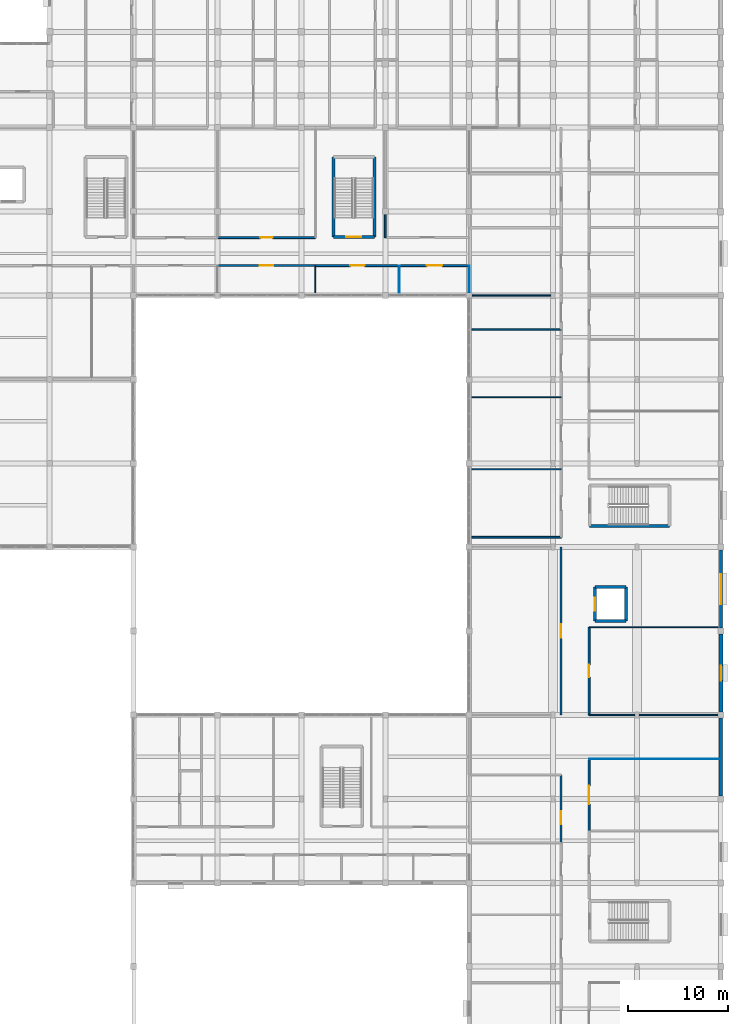
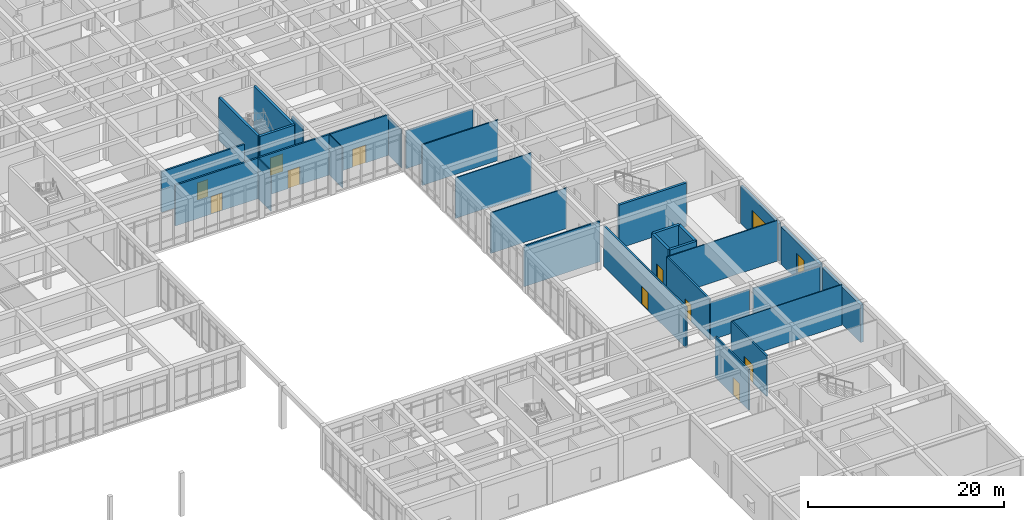
# One storey, part 66 of 89: 32 walls, 10 doors, 2 windows, 12 openings.
"""IFC4 building model written with IfcOpenShell, lengths in metres."""

from ifc_helpers import new_model, si_unit, direction, frame, frame_2d, origin, place, context, subcontext, project, spatial, rectangle, extrude, material, layer, layer_set, type_object, element, fill, save


model = new_model("IFC4")

# Units and contexts
model_context = context("Model", 3, precision=1e-05, world=origin(), true_north=direction((0.0, 1.0)))
body_context = subcontext(model_context, "Body", "Model", "MODEL_VIEW")
ifc_project = project(units=[si_unit("LENGTHUNIT", "METRE"), si_unit("AREAUNIT", "SQUARE_METRE"), si_unit("VOLUMEUNIT", "CUBIC_METRE"), si_unit("PLANEANGLEUNIT", "RADIAN"), si_unit("MASSUNIT", "GRAM", prefix="KILO")], contexts=[model_context])

# Site, building, storey
site_placement = place(None, origin())
site = spatial("IfcSite", under=ifc_project, at=site_placement, CompositionType="ELEMENT")
building_placement = place(site_placement, origin())
building = spatial("IfcBuilding", under=site, at=building_placement, Name="Varncliffe General Hospital", CompositionType="ELEMENT")
storey_placement = place(building_placement, frame((0.0, 0.0, 10.800048828125)))
storey = spatial("IfcBuildingStorey", under=building, at=storey_placement, Name="L02", CompositionType="ELEMENT", Elevation=10.800048828125)

# Wall, opening, window
ifc_material_1 = material(Name="Precast concrete C40/50 with insulated cream lime-cement stucco", Category="concrete")
ifc_layer_1 = layer(ifc_material_1, 0.3798828125)
ifc_layer_set_1 = layer_set([ifc_layer_1], Name="Precast concrete C40/50 with insulated cream lime-cement stucco")
wall_type_1 = type_object("IfcWallType", Name="Exterior Insulated Stucco Wall EW26 (380mm)", PredefinedType="SOLIDWALL", material=ifc_layer_set_1)
wall_1_placement = place(storey_placement, frame((176.39990234375, 48.902099609375, 0.0), z_axis=(0.0, 0.0, 1.0), x_axis=(0.0, -1.0, 0.0)))
wall_1 = element("IfcWall", 1, at=wall_1_placement, inside=storey, type_object=wall_type_1, Name="L02 Exterior Stucco Wall EW26-205", PredefinedType="SOLIDWALL", context=body_context, shape_type="SweptSolid", body=[
    extrude(rectangle(XDim=7.80419921875, YDim=0.3798828125, at=frame_2d((3.902099609375, 0.0))), origin(), (0.0, 0.0, 1.0), 4.679931640625),
])
opening_1_placement = place(wall_1_placement, frame((3.152099609375, 0.0, 0.89990234375)))
opening_1 = element("IfcOpeningElement", 2, at=opening_1_placement, cuts=wall_1, Name="Opening WN14", PredefinedType="OPENING", context=body_context, shape_type="SweptSolid", body=[
    extrude(rectangle(XDim=1.5, YDim=2.35009765625, at=frame_2d((0.75, 1.175048828125))), frame((0.0, 0.199951171875, 0.0), z_axis=(0.0, -1.0, 0.0), x_axis=(1.0, 0.0, 0.0)), (0.0, 0.0, 1.0), 0.39990234375),
])
ifc_material_2 = material(Name="Triple low-E argon insulated vision glazing", Category="glass")
window_type_1 = type_object("IfcWindowType", Name="Triple-Glazed Hospital Window WN14 (1500x2350)", PartitioningType="SINGLE_PANEL", PredefinedType="WINDOW", material=ifc_material_2)
window_1_placement = place(opening_1_placement, origin())
window_1 = element("IfcWindow", 3, at=window_1_placement, inside=storey, type_object=window_type_1, Name="L02 Hospital Window WN14-129", OverallHeight=2.35009765625, OverallWidth=1.5, PartitioningType="SINGLE_PANEL", PredefinedType="WINDOW", context=body_context, shape_type="SweptSolid", body=[
    extrude(rectangle(XDim=1.5, YDim=2.35009765625, at=frame_2d((0.75, 1.175048828125))), frame((0.0, 0.030029296875, 0.0), z_axis=(0.0, -1.0, 0.0), x_axis=(1.0, 0.0, 0.0)), (0.0, 0.0, 1.0), 0.06005859375),
])
fill(opening_1, window_1)

ifc_layer_2 = layer(ifc_material_1, 0.2900390625)
ifc_layer_set_2 = layer_set([ifc_layer_2], Name="Precast concrete C40/50 with insulated cream lime-cement stucco")
wall_type_2 = type_object("IfcWallType", Name="Exterior Insulated Stucco Wall EW31 (290mm)", PredefinedType="SOLIDWALL", material=ifc_layer_set_2)
wall_2_placement = place(storey_placement, frame((176.39990234375, 57.302001953125, 0.0), z_axis=(0.0, 0.0, 1.0), x_axis=(0.0, -1.0, 0.0)))
wall_2 = element("IfcWall", 4, at=wall_2_placement, inside=storey, type_object=wall_type_2, Name="L02 Exterior Stucco Wall EW31-204", PredefinedType="SOLIDWALL", context=body_context, shape_type="SweptSolid", body=[
    extrude(rectangle(XDim=7.803955078125, YDim=0.2900390625, at=frame_2d((3.90185546875, 0.0))), origin(), (0.0, 0.0, 1.0), 4.679931640625),
])
opening_2_placement = place(wall_2_placement, frame((2.402099609375, 0.0, 0.89990234375)))
opening_2 = element("IfcOpeningElement", 5, at=opening_2_placement, cuts=wall_2, Name="Opening WN37", PredefinedType="OPENING", context=body_context, shape_type="SweptSolid", body=[
    extrude(rectangle(XDim=3.0, YDim=2.14990234375, at=frame_2d((1.5, 1.074951171875))), frame((0.0, 0.155029296875, 0.0), z_axis=(0.0, -1.0, 0.0), x_axis=(1.0, 0.0, 0.0)), (0.0, 0.0, 1.0), 0.31005859375),
])
window_type_2 = type_object("IfcWindowType", Name="Triple-Glazed Hospital Window WN37 (3000x2150)", PartitioningType="DOUBLE_PANEL_VERTICAL", PredefinedType="WINDOW", material=ifc_material_2)
window_2_placement = place(opening_2_placement, origin())
window_2 = element("IfcWindow", 6, at=window_2_placement, inside=storey, type_object=window_type_2, Name="L02 Hospital Window WN37-128", OverallHeight=2.14990234375, OverallWidth=3.0, PartitioningType="DOUBLE_PANEL_VERTICAL", PredefinedType="WINDOW", context=body_context, shape_type="SweptSolid", body=[
    extrude(rectangle(XDim=3.0, YDim=2.14990234375, at=frame_2d((1.5, 1.074951171875))), frame((0.0, 0.030029296875, 0.0), z_axis=(0.0, -1.0, 0.0), x_axis=(1.0, 0.0, 0.0)), (0.0, 0.0, 1.0), 0.06005859375),
])
fill(opening_2, window_2)

# Walls
ifc_layer_3 = layer(ifc_material_1, 0.35009765625)
ifc_layer_set_3 = layer_set([ifc_layer_3], Name="Precast concrete C40/50 with insulated cream lime-cement stucco")
wall_type_3 = type_object("IfcWallType", Name="Exterior Insulated Stucco Wall EW37 (350mm)", PredefinedType="SOLIDWALL", material=ifc_layer_set_3)
wall_3_placement = place(storey_placement, frame((176.39990234375, 40.501953125, 0.0), z_axis=(0.0, 0.0, 1.0), x_axis=(0.0, -1.0, 0.0)))
element("IfcWall", 7, at=wall_3_placement, inside=storey, type_object=wall_type_3, Name="L02 Exterior Stucco Wall EW37-206", PredefinedType="SOLIDWALL", context=body_context, shape_type="SweptSolid", body=[
    extrude(rectangle(XDim=7.803955078125, YDim=0.35009765625, at=frame_2d((3.90185546875, 0.0))), origin(), (0.0, 0.0, 1.0), 4.679931640625),
])
ifc_material_3 = material(Name="Acoustic clinical gypsum stud partition assembly", Category="gypsum")
ifc_layer_4 = layer(ifc_material_3, 0.1298828125)
ifc_layer_set_4 = layer_set([ifc_layer_4], Name="Acoustic clinical gypsum stud partition assembly")
wall_type_4 = type_object("IfcWallType", Name="Interior Partitioning IW11 (130mm)", PredefinedType="PARTITIONING", material=ifc_layer_set_4)
wall_4_placement = place(storey_placement, frame((168.215087890625, 40.800048828125, 0.0), z_axis=(0.0, 0.0, 1.0), x_axis=(1.0, 0.0, 0.0)))
element("IfcWall", 8, at=wall_4_placement, inside=storey, type_object=wall_type_4, Name="L02 Interior Partition Wall IW11-913", PredefinedType="PARTITIONING", context=body_context, shape_type="SweptSolid", body=[
    extrude(rectangle(XDim=7.869873046875, YDim=0.1298828125, at=frame_2d((3.93505859375, 0.0))), origin(), (0.0, 0.0, 1.0), 4.73486328125),
])
wall_5_placement = place(storey_placement, frame((163.199951171875, 40.800048828125, 0.0), z_axis=(0.0, 0.0, 1.0), x_axis=(1.0, 0.0, 0.0)))
element("IfcWall", 9, at=wall_5_placement, inside=storey, type_object=wall_type_4, Name="L02 Interior Partition Wall IW11-914", PredefinedType="PARTITIONING", context=body_context, shape_type="SweptSolid", body=[
    extrude(rectangle(XDim=4.5849609375, YDim=0.1298828125, at=frame_2d((2.29248046875, 0.0))), origin(), (0.0, 0.0, 1.0), 4.73486328125),
])
wall_6_placement = place(storey_placement, frame((151.4599609375, 65.39990234375, 0.0), z_axis=(0.0, 0.0, 1.0), x_axis=(1.0, 0.0, 0.0)))
element("IfcWall", 10, at=wall_6_placement, inside=storey, type_object=wall_type_4, Name="L02 Interior Partition Wall IW11-923", PredefinedType="PARTITIONING", context=body_context, shape_type="SweptSolid", body=[
    extrude(rectangle(XDim=8.93994140625, YDim=0.1298828125, at=frame_2d((4.469970703125, 0.0))), origin(), (0.0, 0.0, 1.0), 5.070068359375),
])
wall_7_placement = place(storey_placement, frame((151.514892578125, 82.800048828125, 0.0), z_axis=(0.0, 0.0, 1.0), x_axis=(1.0, 0.0, 0.0)))
element("IfcWall", 11, at=wall_7_placement, inside=storey, type_object=wall_type_4, Name="L02 Interior Partition Wall IW11-948", PredefinedType="PARTITIONING", context=body_context, shape_type="SweptSolid", body=[
    extrude(rectangle(XDim=7.8701171875, YDim=0.1298828125, at=frame_2d((3.93505859375, 0.0))), origin(), (0.0, 0.0, 1.0), 4.73486328125),
])
ifc_layer_5 = layer(ifc_material_3, 0.169921875)
ifc_layer_set_5 = layer_set([ifc_layer_5], Name="Acoustic clinical gypsum stud partition assembly")
wall_type_5 = type_object("IfcWallType", Name="Interior Partitioning IW20 (170mm)", PredefinedType="PARTITIONING", material=ifc_layer_set_5)
wall_8_placement = place(storey_placement, frame((151.4599609375, 58.60009765625, 0.0), z_axis=(0.0, 0.0, 1.0), x_axis=(1.0, 0.0, 0.0)))
element("IfcWall", 12, at=wall_8_placement, inside=storey, type_object=wall_type_5, Name="L02 Interior Partition Wall IW20-920", PredefinedType="PARTITIONING", context=body_context, shape_type="SweptSolid", body=[
    extrude(rectangle(XDim=8.93994140625, YDim=0.169921875, at=frame_2d((4.469970703125, 0.0))), origin(), (0.0, 0.0, 1.0), 5.070068359375),
])
wall_9_placement = place(storey_placement, frame((142.800048828125, 88.60009765625, 0.0), z_axis=(0.0, 0.0, 1.0), x_axis=(0.0, 1.0, 0.0)))
element("IfcWall", 13, at=wall_9_placement, inside=storey, type_object=wall_type_5, Name="L02 Interior Partition Wall IW20-1261", PredefinedType="PARTITIONING", context=body_context, shape_type="SweptSolid", body=[
    extrude(rectangle(XDim=2.284912109375, YDim=0.169921875, at=frame_2d((1.142578125, 0.0))), origin(), (0.0, 0.0, 1.0), 4.73486328125),
])
ifc_layer_6 = layer(ifc_material_3, 0.14990234375)
ifc_layer_set_6 = layer_set([ifc_layer_6], Name="Acoustic clinical gypsum stud partition assembly")
wall_type_6 = type_object("IfcWallType", Name="Interior Partitioning IW35 (150mm)", PredefinedType="PARTITIONING", material=ifc_layer_set_6)
wall_10_placement = place(storey_placement, frame((151.4599609375, 79.39990234375, 0.0), z_axis=(0.0, 0.0, 1.0), x_axis=(1.0, 0.0, 0.0)))
element("IfcWall", 14, at=wall_10_placement, inside=storey, type_object=wall_type_6, Name="L02 Interior Partition Wall IW35-944", PredefinedType="PARTITIONING", context=body_context, shape_type="SweptSolid", body=[
    extrude(rectangle(XDim=8.93994140625, YDim=0.14990234375, at=frame_2d((4.469970703125, 0.0))), origin(), (0.0, 0.0, 1.0), 5.070068359375),
])
ifc_layer_7 = layer(ifc_material_3, 0.090087890625)
ifc_layer_set_7 = layer_set([ifc_layer_7], Name="Acoustic clinical gypsum stud partition assembly")
wall_type_7 = type_object("IfcWallType", Name="Interior Partitioning IW42 (90mm)", PredefinedType="PARTITIONING", material=ifc_layer_set_7)
wall_11_placement = place(storey_placement, frame((163.199951171875, 36.39990234375, 0.0), z_axis=(0.0, 0.0, 1.0), x_axis=(1.0, 0.0, 0.0)))
element("IfcWall", 15, at=wall_11_placement, inside=storey, type_object=wall_type_7, Name="L02 Interior Partition Wall IW42-911", PredefinedType="PARTITIONING", context=body_context, shape_type="SweptSolid", body=[
    extrude(rectangle(XDim=12.93994140625, YDim=0.090087890625, at=frame_2d((6.469970703125, 0.0))), origin(), (0.0, 0.0, 1.0), 5.070068359375),
])
wall_12_placement = place(storey_placement, frame((144.199951171875, 83.06005859375, 0.0), z_axis=(0.0, 0.0, 1.0), x_axis=(0.0, 1.0, 0.0)))
element("IfcWall", 16, at=wall_12_placement, inside=storey, type_object=wall_type_7, Name="L02 Interior Partition Wall IW42-1266", PredefinedType="PARTITIONING", context=body_context, shape_type="SweptSolid", body=[
    extrude(rectangle(XDim=2.739990234375, YDim=0.090087890625, at=frame_2d((1.3701171875, 0.0))), origin(), (0.0, 0.0, 1.0), 5.070068359375),
])
wall_13_placement = place(storey_placement, frame((151.199951171875, 83.114990234375, 0.0), z_axis=(0.0, 0.0, 1.0), x_axis=(0.0, 1.0, 0.0)))
element("IfcWall", 17, at=wall_13_placement, inside=storey, type_object=wall_type_7, Name="L02 Interior Partition Wall IW42-1276", PredefinedType="PARTITIONING", context=body_context, shape_type="SweptSolid", body=[
    extrude(rectangle(XDim=2.68505859375, YDim=0.090087890625, at=frame_2d((1.342529296875, 0.0))), origin(), (0.0, 0.0, 1.0), 4.73486328125),
])
ifc_layer_8 = layer(ifc_material_3, 0.110107421875)
ifc_layer_set_8 = layer_set([ifc_layer_8], Name="Acoustic clinical gypsum stud partition assembly")
wall_type_8 = type_object("IfcWallType", Name="Interior Partitioning IW65 (110mm)", PredefinedType="PARTITIONING", material=ifc_layer_set_8)
wall_14_placement = place(storey_placement, frame((163.199951171875, 49.60009765625, 0.0), z_axis=(0.0, 0.0, 1.0), x_axis=(1.0, 0.0, 0.0)))
element("IfcWall", 18, at=wall_14_placement, inside=storey, type_object=wall_type_8, Name="L02 Interior Partition Wall IW65-917", PredefinedType="PARTITIONING", context=body_context, shape_type="SweptSolid", body=[
    extrude(rectangle(XDim=12.93994140625, YDim=0.110107421875, at=frame_2d((6.469970703125, 0.0))), origin(), (0.0, 0.0, 1.0), 5.070068359375),
])
wall_15_placement = place(storey_placement, frame((151.4599609375, 72.60009765625, 0.0), z_axis=(0.0, 0.0, 1.0), x_axis=(1.0, 0.0, 0.0)))
element("IfcWall", 19, at=wall_15_placement, inside=storey, type_object=wall_type_8, Name="L02 Interior Partition Wall IW65-927", PredefinedType="PARTITIONING", context=body_context, shape_type="SweptSolid", body=[
    extrude(rectangle(XDim=8.93994140625, YDim=0.110107421875, at=frame_2d((4.469970703125, 0.0))), origin(), (0.0, 0.0, 1.0), 5.070068359375),
])
wall_16_placement = place(storey_placement, frame((135.800048828125, 83.06005859375, 0.0), z_axis=(0.0, 0.0, 1.0), x_axis=(0.0, 1.0, 0.0)))
element("IfcWall", 20, at=wall_16_placement, inside=storey, type_object=wall_type_8, Name="L02 Interior Partition Wall IW65-1252", PredefinedType="PARTITIONING", context=body_context, shape_type="SweptSolid", body=[
    extrude(rectangle(XDim=2.739990234375, YDim=0.110107421875, at=frame_2d((1.3701171875, 0.0))), origin(), (0.0, 0.0, 1.0), 5.070068359375),
])

# Wall, opening, door
ifc_material_4 = material(Name="Fire-rated gypsum and mineral-wool partition assembly", Category="gypsum")
ifc_layer_9 = layer(ifc_material_4, 0.199951171875)
ifc_layer_set_9 = layer_set([ifc_layer_9], Name="Fire-rated gypsum and mineral-wool partition assembly")
wall_type_9 = type_object("IfcWallType", Name="Interior Partitioning PW63 (200mm)", PredefinedType="PARTITIONING", material=ifc_layer_set_9)
wall_17_placement = place(storey_placement, frame((126.0, 85.800048828125, 0.0), z_axis=(0.0, 0.0, 1.0), x_axis=(1.0, 0.0, 0.0)))
wall_17 = element("IfcWall", 21, at=wall_17_placement, inside=storey, type_object=wall_type_9, Name="L02 Interior Partition Wall PW63-964", PredefinedType="PARTITIONING", context=body_context, shape_type="SweptSolid", body=[
    extrude(rectangle(XDim=9.800048828125, YDim=0.199951171875, at=frame_2d((4.89990234375, 0.0))), origin(), (0.0, 0.0, 1.0), 5.070068359375),
])
opening_3_placement = place(wall_17_placement, frame((4.22509765625, 0.0, 0.0)))
opening_3 = element("IfcOpeningElement", 22, at=opening_3_placement, cuts=wall_17, Name="Opening DC85", PredefinedType="OPENING", context=body_context, shape_type="SweptSolid", body=[
    extrude(rectangle(XDim=1.35009765625, YDim=2.199951171875, at=frame_2d((0.675048828125, 1.10009765625))), frame((0.0, 0.10986328125, 0.0), z_axis=(0.0, -1.0, 0.0), x_axis=(1.0, 0.0, 0.0)), (0.0, 0.0, 1.0), 0.219970703125),
])
ifc_material_5 = material(Name="Fire-rated hospital steel-frame vision-panel door", Category="steel")
door_type_1 = type_object("IfcDoorType", Name="Interior Hospital Door DC85 (1350x2200)", OperationType="NOTDEFINED", PredefinedType="DOOR", material=ifc_material_5)
door_1_placement = place(opening_3_placement, frame((1.35009765625, 0.0, 0.0), z_axis=(0.0, 0.0, 1.0), x_axis=(-1.0, 0.0, 0.0)))
door_1 = element("IfcDoor", 23, at=door_1_placement, inside=storey, type_object=door_type_1, Name="L02 Post-Anaesthesia Care Recovery PACU 72 Door", OperationType="SINGLE_SWING_LEFT", OverallHeight=2.199951171875, OverallWidth=1.35009765625, PredefinedType="DOOR", context=body_context, shape_type="SweptSolid", body=[
    extrude(rectangle(XDim=1.35009765625, YDim=2.199951171875, at=frame_2d((0.675048828125, 1.10009765625))), frame((0.0, 0.02490234375, 0.0), z_axis=(0.0, -1.0, 0.0), x_axis=(1.0, 0.0, 0.0)), (0.0, 0.0, 1.0), 0.050048828125),
])
fill(opening_3, door_1)

wall_18_placement = place(storey_placement, frame((135.800048828125, 85.800048828125, 0.0), z_axis=(0.0, 0.0, 1.0), x_axis=(1.0, 0.0, 0.0)))
wall_18 = element("IfcWall", 24, at=wall_18_placement, inside=storey, type_object=wall_type_9, Name="L02 Interior Partition Wall PW63-965", PredefinedType="PARTITIONING", context=body_context, shape_type="SweptSolid", body=[
    extrude(rectangle(XDim=8.39990234375, YDim=0.199951171875, at=frame_2d((4.199951171875, 0.0))), origin(), (0.0, 0.0, 1.0), 5.070068359375),
])
opening_4_placement = place(wall_18_placement, frame((3.47509765625, 0.0, 0.0)))
opening_4 = element("IfcOpeningElement", 25, at=opening_4_placement, cuts=wall_18, Name="Opening DC66", PredefinedType="OPENING", context=body_context, shape_type="SweptSolid", body=[
    extrude(rectangle(XDim=1.449951171875, YDim=2.25, at=frame_2d((0.72509765625, 1.125))), frame((0.0, 0.10986328125, 0.0), z_axis=(0.0, -1.0, 0.0), x_axis=(1.0, 0.0, 0.0)), (0.0, 0.0, 1.0), 0.219970703125),
])
door_type_2 = type_object("IfcDoorType", Name="Interior Hospital Door DC66 (1450x2250)", OperationType="NOTDEFINED", PredefinedType="DOOR", material=ifc_material_5)
door_2_placement = place(opening_4_placement, frame((1.449951171875, 0.0, 0.0), z_axis=(0.0, 0.0, 1.0), x_axis=(-1.0, 0.0, 0.0)))
door_2 = element("IfcDoor", 26, at=door_2_placement, inside=storey, type_object=door_type_2, Name="L02 Surgical Operating Theatre 73 Door", OperationType="SINGLE_SWING_RIGHT", OverallHeight=2.25, OverallWidth=1.449951171875, PredefinedType="DOOR", context=body_context, shape_type="SweptSolid", body=[
    extrude(rectangle(XDim=1.449951171875, YDim=2.25, at=frame_2d((0.72509765625, 1.125))), frame((0.0, 0.02490234375, 0.0), z_axis=(0.0, -1.0, 0.0), x_axis=(1.0, 0.0, 0.0)), (0.0, 0.0, 1.0), 0.050048828125),
])
fill(opening_4, door_2)

wall_19_placement = place(storey_placement, frame((144.199951171875, 85.800048828125, 0.0), z_axis=(0.0, 0.0, 1.0), x_axis=(1.0, 0.0, 0.0)))
wall_19 = element("IfcWall", 27, at=wall_19_placement, inside=storey, type_object=wall_type_9, Name="L02 Interior Partition Wall PW63-966", PredefinedType="PARTITIONING", context=body_context, shape_type="SweptSolid", body=[
    extrude(rectangle(XDim=7.0, YDim=0.199951171875, at=frame_2d((3.5, 0.0))), origin(), (0.0, 0.0, 1.0), 5.070068359375),
])
opening_5_placement = place(wall_19_placement, frame((2.72509765625, 0.0, 0.0)))
opening_5 = element("IfcOpeningElement", 28, at=opening_5_placement, cuts=wall_19, Name="Opening DC67", PredefinedType="OPENING", context=body_context, shape_type="SweptSolid", body=[
    extrude(rectangle(XDim=1.550048828125, YDim=2.25, at=frame_2d((0.77490234375, 1.125))), frame((0.0, 0.10986328125, 0.0), z_axis=(0.0, -1.0, 0.0), x_axis=(1.0, 0.0, 0.0)), (0.0, 0.0, 1.0), 0.219970703125),
])
door_type_3 = type_object("IfcDoorType", Name="Interior Hospital Door DC67 (1550x2250)", OperationType="NOTDEFINED", PredefinedType="DOOR", material=ifc_material_5)
door_3_placement = place(opening_5_placement, frame((1.550048828125, 0.0, 0.0), z_axis=(0.0, 0.0, 1.0), x_axis=(-1.0, 0.0, 0.0)))
door_3 = element("IfcDoor", 29, at=door_3_placement, inside=storey, type_object=door_type_3, Name="L02 Post-Anaesthesia Care Recovery PACU 74 Door", OperationType="SINGLE_SWING_LEFT", OverallHeight=2.25, OverallWidth=1.550048828125, PredefinedType="DOOR", context=body_context, shape_type="SweptSolid", body=[
    extrude(rectangle(XDim=1.550048828125, YDim=2.25, at=frame_2d((0.77490234375, 1.125))), frame((0.0, 0.02490234375, 0.0), z_axis=(0.0, -1.0, 0.0), x_axis=(1.0, 0.0, 0.0)), (0.0, 0.0, 1.0), 0.050048828125),
])
fill(opening_5, door_3)

wall_20_placement = place(storey_placement, frame((126.0, 88.60009765625, 0.0), z_axis=(0.0, 0.0, 1.0), x_axis=(1.0, 0.0, 0.0)))
wall_20 = element("IfcWall", 30, at=wall_20_placement, inside=storey, type_object=wall_type_9, Name="L02 Interior Partition Wall PW63-980", PredefinedType="PARTITIONING", context=body_context, shape_type="SweptSolid", body=[
    extrude(rectangle(XDim=9.800048828125, YDim=0.199951171875, at=frame_2d((4.89990234375, 0.0))), origin(), (0.0, 0.0, 1.0), 5.070068359375),
])
opening_6_placement = place(wall_20_placement, frame((4.27490234375, 0.0, 0.0)))
opening_6 = element("IfcOpeningElement", 31, at=opening_6_placement, cuts=wall_20, Name="Opening DC44", PredefinedType="OPENING", context=body_context, shape_type="SweptSolid", body=[
    extrude(rectangle(XDim=1.25, YDim=2.14990234375, at=frame_2d((0.625, 1.074951171875))), frame((0.0, 0.10986328125, 0.0), z_axis=(0.0, -1.0, 0.0), x_axis=(1.0, 0.0, 0.0)), (0.0, 0.0, 1.0), 0.219970703125),
])
door_type_4 = type_object("IfcDoorType", Name="Interior Hospital Door DC44 (1250x2150)", OperationType="NOTDEFINED", PredefinedType="DOOR", material=ifc_material_5)
door_4_placement = place(opening_6_placement, origin())
door_4 = element("IfcDoor", 32, at=door_4_placement, inside=storey, type_object=door_type_4, Name="L02 Post-Anaesthesia Care Recovery PACU 79 Door", OperationType="SINGLE_SWING_LEFT", OverallHeight=2.14990234375, OverallWidth=1.25, PredefinedType="DOOR", context=body_context, shape_type="SweptSolid", body=[
    extrude(rectangle(XDim=1.25, YDim=2.14990234375, at=frame_2d((0.625, 1.074951171875))), frame((0.0, 0.02490234375, 0.0), z_axis=(0.0, -1.0, 0.0), x_axis=(1.0, 0.0, 0.0)), (0.0, 0.0, 1.0), 0.050048828125),
])
fill(opening_6, door_4)

wall_21_placement = place(storey_placement, frame((160.39990234375, 28.0, 0.0), z_axis=(0.0, 0.0, 1.0), x_axis=(0.0, 1.0, 0.0)))
wall_21 = element("IfcWall", 33, at=wall_21_placement, inside=storey, type_object=wall_type_9, Name="L02 Interior Partition Wall PW63-1294", PredefinedType="PARTITIONING", context=body_context, shape_type="SweptSolid", body=[
    extrude(rectangle(XDim=6.800048828125, YDim=0.199951171875, at=frame_2d((3.39990234375, 0.0))), origin(), (0.0, 0.0, 1.0), 5.070068359375),
])
opening_7_placement = place(wall_21_placement, frame((1.846435546875, 0.0, 0.0)))
opening_7 = element("IfcOpeningElement", 34, at=opening_7_placement, cuts=wall_21, Name="Opening DC88", PredefinedType="OPENING", context=body_context, shape_type="SweptSolid", body=[
    extrude(rectangle(XDim=1.300048828125, YDim=2.199951171875, at=frame_2d((0.64990234375, 1.10009765625))), frame((0.0, 0.10986328125, 0.0), z_axis=(0.0, -1.0, 0.0), x_axis=(1.0, 0.0, 0.0)), (0.0, 0.0, 1.0), 0.219970703125),
])
door_type_5 = type_object("IfcDoorType", Name="Interior Hospital Door DC88 (1300x2200)", OperationType="NOTDEFINED", PredefinedType="DOOR", material=ifc_material_5)
door_5_placement = place(opening_7_placement, origin())
door_5 = element("IfcDoor", 35, at=door_5_placement, inside=storey, type_object=door_type_5, Name="L02 Day Surgery Preparation and Recovery Bay 87 Door", OperationType="SINGLE_SWING_LEFT", OverallHeight=2.199951171875, OverallWidth=1.300048828125, PredefinedType="DOOR", context=body_context, shape_type="SweptSolid", body=[
    extrude(rectangle(XDim=1.300048828125, YDim=2.199951171875, at=frame_2d((0.64990234375, 1.10009765625))), frame((0.0, 0.02490234375, 0.0), z_axis=(0.0, -1.0, 0.0), x_axis=(1.0, 0.0, 0.0)), (0.0, 0.0, 1.0), 0.050048828125),
])
fill(opening_7, door_5)

wall_22_placement = place(storey_placement, frame((160.39990234375, 40.800048828125, 0.0), z_axis=(0.0, 0.0, 1.0), x_axis=(0.0, 1.0, 0.0)))
wall_22 = element("IfcWall", 36, at=wall_22_placement, inside=storey, type_object=wall_type_9, Name="L02 Interior Partition Wall PW63-1295", PredefinedType="PARTITIONING", context=body_context, shape_type="SweptSolid", body=[
    extrude(rectangle(XDim=16.800048828125, YDim=0.199951171875, at=frame_2d((8.39990234375, 0.0))), origin(), (0.0, 0.0, 1.0), 5.070068359375),
])
opening_8_placement = place(wall_22_placement, frame((7.72509765625, 0.0, 0.0)))
opening_8 = element("IfcOpeningElement", 37, at=opening_8_placement, cuts=wall_22, Name="Opening DC85", PredefinedType="OPENING", context=body_context, shape_type="SweptSolid", body=[
    extrude(rectangle(XDim=1.35009765625, YDim=2.199951171875, at=frame_2d((0.675048828125, 1.10009765625))), frame((0.0, 0.10986328125, 0.0), z_axis=(0.0, -1.0, 0.0), x_axis=(1.0, 0.0, 0.0)), (0.0, 0.0, 1.0), 0.219970703125),
])
door_6_placement = place(opening_8_placement, origin())
door_6 = element("IfcDoor", 38, at=door_6_placement, inside=storey, type_object=door_type_1, Name="L02 Medical Lecture Auditorium Door", OperationType="SINGLE_SWING_RIGHT", OverallHeight=2.199951171875, OverallWidth=1.35009765625, PredefinedType="DOOR", context=body_context, shape_type="SweptSolid", body=[
    extrude(rectangle(XDim=1.35009765625, YDim=2.199951171875, at=frame_2d((0.675048828125, 1.10009765625))), frame((0.0, 0.02490234375, 0.0), z_axis=(0.0, -1.0, 0.0), x_axis=(1.0, 0.0, 0.0)), (0.0, 0.0, 1.0), 0.050048828125),
])
fill(opening_8, door_6)

wall_23_placement = place(storey_placement, frame((163.199951171875, 29.199951171875, 0.0), z_axis=(0.0, 0.0, 1.0), x_axis=(0.0, 1.0, 0.0)))
wall_23 = element("IfcWall", 39, at=wall_23_placement, inside=storey, type_object=wall_type_9, Name="L02 Interior Partition Wall PW63-1306", PredefinedType="PARTITIONING", context=body_context, shape_type="SweptSolid", body=[
    extrude(rectangle(XDim=7.199951171875, YDim=0.199951171875, at=frame_2d((3.60009765625, 0.0))), origin(), (0.0, 0.0, 1.0), 5.070068359375),
])
opening_9_placement = place(wall_23_placement, frame((2.675048828125, 0.0, 0.0)))
opening_9 = element("IfcOpeningElement", 40, at=opening_9_placement, cuts=wall_23, Name="Opening DC38", PredefinedType="OPENING", context=body_context, shape_type="SweptSolid", body=[
    extrude(rectangle(XDim=1.85009765625, YDim=2.300048828125, at=frame_2d((0.925048828125, 1.14990234375))), frame((0.0, 0.10986328125, 0.0), z_axis=(0.0, -1.0, 0.0), x_axis=(1.0, 0.0, 0.0)), (0.0, 0.0, 1.0), 0.219970703125),
])
door_type_6 = type_object("IfcDoorType", Name="Interior Hospital Door DC38 (1850x2300)", OperationType="NOTDEFINED", PredefinedType="DOOR", material=ifc_material_5)
door_7_placement = place(opening_9_placement, frame((1.85009765625, 0.0, 0.0), z_axis=(0.0, 0.0, 1.0), x_axis=(-1.0, 0.0, 0.0)))
door_7 = element("IfcDoor", 41, at=door_7_placement, inside=storey, type_object=door_type_6, Name="L02 Gastroenterology Endoscopy Clinic 95 Door", OperationType="SINGLE_SWING_LEFT", OverallHeight=2.300048828125, OverallWidth=1.85009765625, PredefinedType="DOOR", context=body_context, shape_type="SweptSolid", body=[
    extrude(rectangle(XDim=1.85009765625, YDim=2.300048828125, at=frame_2d((0.925048828125, 1.14990234375))), frame((0.0, 0.02490234375, 0.0), z_axis=(0.0, -1.0, 0.0), x_axis=(1.0, 0.0, 0.0)), (0.0, 0.0, 1.0), 0.050048828125),
])
fill(opening_9, door_7)

wall_24_placement = place(storey_placement, frame((163.199951171875, 40.800048828125, 0.0), z_axis=(0.0, 0.0, 1.0), x_axis=(0.0, 1.0, 0.0)))
wall_24 = element("IfcWall", 42, at=wall_24_placement, inside=storey, type_object=wall_type_9, Name="L02 Interior Partition Wall PW63-1307", PredefinedType="PARTITIONING", context=body_context, shape_type="SweptSolid", body=[
    extrude(rectangle(XDim=8.800048828125, YDim=0.199951171875, at=frame_2d((4.39990234375, 0.0))), origin(), (0.0, 0.0, 1.0), 5.070068359375),
])
opening_10_placement = place(wall_24_placement, frame((3.77490234375, 0.0, 0.0)))
opening_10 = element("IfcOpeningElement", 43, at=opening_10_placement, cuts=wall_24, Name="Opening DC44", PredefinedType="OPENING", context=body_context, shape_type="SweptSolid", body=[
    extrude(rectangle(XDim=1.25, YDim=2.14990234375, at=frame_2d((0.625, 1.074951171875))), frame((0.0, 0.10986328125, 0.0), z_axis=(0.0, -1.0, 0.0), x_axis=(1.0, 0.0, 0.0)), (0.0, 0.0, 1.0), 0.219970703125),
])
door_8_placement = place(opening_10_placement, frame((1.25, 0.0, 0.0), z_axis=(0.0, 0.0, 1.0), x_axis=(-1.0, 0.0, 0.0)))
door_8 = element("IfcDoor", 44, at=door_8_placement, inside=storey, type_object=door_type_4, Name="L02 Auditorium Projection and Seminar Room Door", OperationType="SINGLE_SWING_RIGHT", OverallHeight=2.14990234375, OverallWidth=1.25, PredefinedType="DOOR", context=body_context, shape_type="SweptSolid", body=[
    extrude(rectangle(XDim=1.25, YDim=2.14990234375, at=frame_2d((0.625, 1.074951171875))), frame((0.0, 0.02490234375, 0.0), z_axis=(0.0, -1.0, 0.0), x_axis=(1.0, 0.0, 0.0)), (0.0, 0.0, 1.0), 0.050048828125),
])
fill(opening_10, door_8)

# Walls
ifc_material_6 = material(Name="Concrete C40/50 (CSA A23.1 40 MPa)", Category="concrete")
ifc_layer_10 = layer(ifc_material_6, 0.300048828125)
ifc_layer_set_10 = layer_set([ifc_layer_10], Name="Concrete C40/50 (CSA A23.1 40 MPa)")
wall_type_10 = type_object("IfcWallType", Name="Reinforced Concrete Core Shear Wall CW12 (300mm)", PredefinedType="SHEAR", material=ifc_layer_set_10)
for number, where, z_axis, x_axis, name in (
    (45, (141.699951171875, 88.64990234375, 0.0), (0.0, 0.0, 1.0), (0.0, 1.0, 0.0), "L02 ST14 Core Shear Wall L"),
    (46, (137.60009765625, 96.64990234375, 0.0), (0.0, 0.0, 1.0), (0.0, -1.0, 0.0), "L02 ST14 Core Shear Wall R"),
):
    element("IfcWall", number, at=place(storey_placement, frame(where, z_axis=z_axis, x_axis=x_axis)), inside=storey, type_object=wall_type_10, Name=name, PredefinedType="SHEAR", context=body_context, shape_type="SweptSolid", body=[
        extrude(rectangle(XDim=8.0, YDim=0.300048828125, at=frame_2d((4.0, 0.0))), origin(), (0.0, 0.0, 1.0), 5.39990234375),
    ])

# Wall, opening, door
wall_25_placement = place(storey_placement, frame((137.60009765625, 88.64990234375, 0.0), z_axis=(0.0, 0.0, 1.0), x_axis=(1.0, 0.0, 0.0)))
wall_25 = element("IfcWall", 47, at=wall_25_placement, inside=storey, type_object=wall_type_10, Name="L02 ST14 Core Shear Wall N", PredefinedType="SHEAR", context=body_context, shape_type="SweptSolid", body=[
    extrude(rectangle(XDim=4.099853515625, YDim=0.300048828125, at=frame_2d((2.0498046875, 0.0))), origin(), (0.0, 0.0, 1.0), 5.39990234375),
])
opening_11_placement = place(wall_25_placement, frame((1.300048828125, 0.0, 0.0)))
opening_11 = element("IfcOpeningElement", 48, at=opening_11_placement, cuts=wall_25, Name="Opening DF28", PredefinedType="OPENING", context=body_context, shape_type="SweptSolid", body=[
    extrude(rectangle(XDim=1.5, YDim=2.199951171875, at=frame_2d((0.75, 1.10009765625))), frame((0.0, 0.16015625, 0.0), z_axis=(0.0, -1.0, 0.0), x_axis=(1.0, 0.0, 0.0)), (0.0, 0.0, 1.0), 0.320068359375),
])
door_type_7 = type_object("IfcDoorType", Name="Interior Hospital Door DF28 (1500x2200)", OperationType="NOTDEFINED", PredefinedType="DOOR", material=ifc_material_5)
door_9_placement = place(opening_11_placement, frame((1.5, 0.0, 0.0), z_axis=(0.0, 0.0, 1.0), x_axis=(-1.0, 0.0, 0.0)))
door_9 = element("IfcDoor", 49, at=door_9_placement, inside=storey, type_object=door_type_7, Name="L02 ST14 Protected Exit Stair Door", OperationType="SINGLE_SWING_LEFT", OverallHeight=2.199951171875, OverallWidth=1.5, PredefinedType="DOOR", context=body_context, shape_type="SweptSolid", body=[
    extrude(rectangle(XDim=1.5, YDim=2.199951171875, at=frame_2d((0.75, 1.10009765625))), frame((0.0, 0.02490234375, 0.0), z_axis=(0.0, -1.0, 0.0), x_axis=(1.0, 0.0, 0.0)), (0.0, 0.0, 1.0), 0.050048828125),
])
fill(opening_11, door_9)

# Walls
wall_26_placement = place(storey_placement, frame((163.800048828125, 50.199951171875, 0.0), z_axis=(0.0, 0.0, 1.0), x_axis=(1.0, 0.0, 0.0)))
element("IfcWall", 50, at=wall_26_placement, inside=storey, type_object=wall_type_10, Name="L02 LF08 Elevator Shaft Wall South", PredefinedType="SHEAR", context=body_context, shape_type="SweptSolid", body=[
    extrude(rectangle(XDim=3.099853515625, YDim=0.300048828125, at=frame_2d((1.5498046875, 0.0))), origin(), (0.0, 0.0, 1.0), 5.39990234375),
])
wall_27_placement = place(storey_placement, frame((166.89990234375, 50.199951171875, 0.0), z_axis=(0.0, 0.0, 1.0), x_axis=(0.0, 1.0, 0.0)))
element("IfcWall", 51, at=wall_27_placement, inside=storey, type_object=wall_type_10, Name="L02 LF08 Elevator Shaft Wall East", PredefinedType="SHEAR", context=body_context, shape_type="SweptSolid", body=[
    extrude(rectangle(XDim=3.400146484375, YDim=0.300048828125, at=frame_2d((1.7001953125, 0.0))), origin(), (0.0, 0.0, 1.0), 5.39990234375),
])
wall_28_placement = place(storey_placement, frame((166.89990234375, 53.60009765625, 0.0), z_axis=(0.0, 0.0, 1.0), x_axis=(-1.0, 0.0, 0.0)))
element("IfcWall", 52, at=wall_28_placement, inside=storey, type_object=wall_type_10, Name="L02 LF08 Elevator Shaft Wall North", PredefinedType="SHEAR", context=body_context, shape_type="SweptSolid", body=[
    extrude(rectangle(XDim=3.099853515625, YDim=0.300048828125, at=frame_2d((1.5498046875, 0.0))), origin(), (0.0, 0.0, 1.0), 5.39990234375),
])

# Wall, opening, door
wall_29_placement = place(storey_placement, frame((163.800048828125, 53.60009765625, 0.0), z_axis=(0.0, 0.0, 1.0), x_axis=(0.0, -1.0, 0.0)))
wall_29 = element("IfcWall", 53, at=wall_29_placement, inside=storey, type_object=wall_type_10, Name="L02 LF08 Elevator Shaft Wall West", PredefinedType="SHEAR", context=body_context, shape_type="SweptSolid", body=[
    extrude(rectangle(XDim=3.400146484375, YDim=0.300048828125, at=frame_2d((1.7001953125, 0.0))), origin(), (0.0, 0.0, 1.0), 5.39990234375),
])
opening_12_placement = place(wall_29_placement, frame((1.050048828125, 0.0, 0.0)))
opening_12 = element("IfcOpeningElement", 54, at=opening_12_placement, cuts=wall_29, Name="Opening LD02", PredefinedType="OPENING", context=body_context, shape_type="SweptSolid", body=[
    extrude(rectangle(XDim=1.300048828125, YDim=2.199951171875, at=frame_2d((0.64990234375, 1.10009765625))), frame((0.0, 0.16015625, 0.0), z_axis=(0.0, -1.0, 0.0), x_axis=(1.0, 0.0, 0.0)), (0.0, 0.0, 1.0), 0.320068359375),
])
ifc_material_7 = material(Name="Brushed stainless-steel sliding elevator landing door", Category="steel")
door_type_8 = type_object("IfcDoorType", Name="Lift Landing Door LD02 (1300x2200)", OperationType="DOUBLE_DOOR_SLIDING", PredefinedType="DOOR", material=ifc_material_7)
door_10_placement = place(opening_12_placement, origin())
door_10 = element("IfcDoor", 55, at=door_10_placement, inside=storey, type_object=door_type_8, Name="Lift Landing Door LF08 L02", OperationType="DOUBLE_DOOR_SLIDING", OverallHeight=2.199951171875, OverallWidth=1.300048828125, PredefinedType="DOOR", context=body_context, shape_type="SweptSolid", body=[
    extrude(rectangle(XDim=1.300048828125, YDim=2.199951171875, at=frame_2d((0.64990234375, 1.10009765625))), frame((0.0, 0.02490234375, 0.0), z_axis=(0.0, -1.0, 0.0), x_axis=(1.0, 0.0, 0.0)), (0.0, 0.0, 1.0), 0.050048828125),
])
fill(opening_12, door_10)

# Wall
ifc_layer_11 = layer(ifc_material_6, 0.280029296875)
ifc_layer_set_11 = layer_set([ifc_layer_11], Name="Concrete C40/50 (CSA A23.1 40 MPa)")
wall_type_11 = type_object("IfcWallType", Name="Reinforced Concrete Core Shear Wall CW13 (280mm)", PredefinedType="SHEAR", material=ifc_layer_set_11)
wall_30_placement = place(storey_placement, frame((163.260009765625, 59.7099609375, 0.0), z_axis=(0.0, 0.0, 1.0), x_axis=(1.0, 0.0, 0.0)))
element("IfcWall", 56, at=wall_30_placement, inside=storey, type_object=wall_type_11, Name="L02 ST07 Core Shear Wall L", PredefinedType="SHEAR", context=body_context, shape_type="SweptSolid", body=[
    extrude(rectangle(XDim=7.97998046875, YDim=0.280029296875, at=frame_2d((3.989990234375, 0.0))), origin(), (0.0, 0.0, 1.0), 5.39990234375),
])

save(model, "model.ifc")
